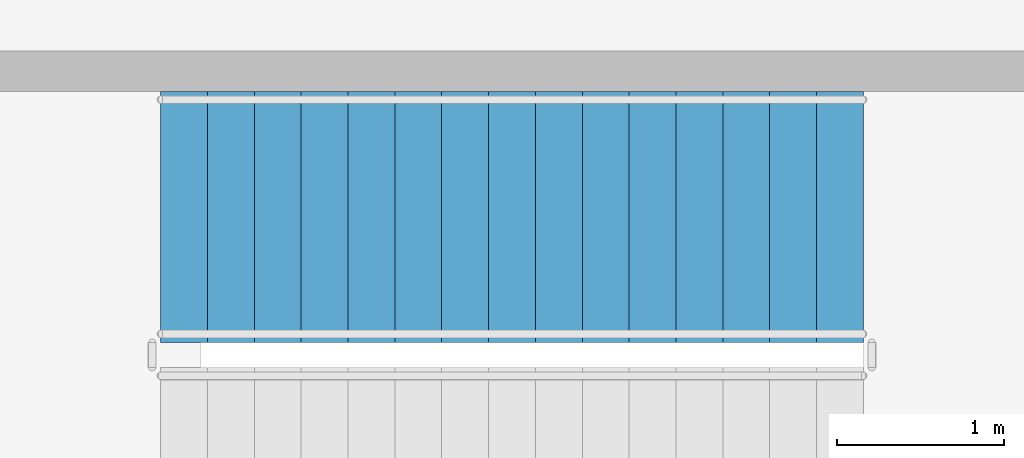
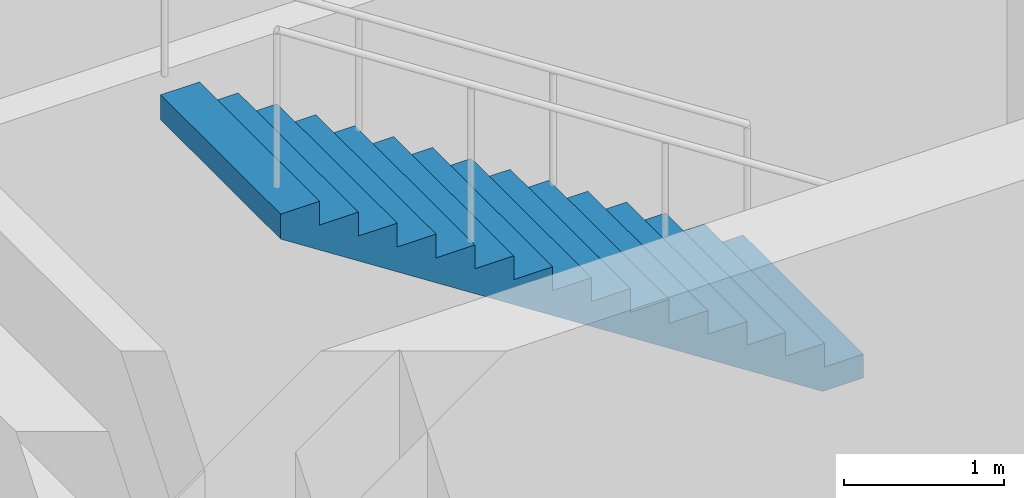
# One storey, part 16 of 18: 1 stair flight, 1 element without a shape of its own.
"""IFC4 building model written with IfcOpenShell, lengths in metres."""

from ifc_helpers import new_model, si_unit, direction, frame, origin, place, context, subcontext, project, spatial, polyline, outline, extrude, material, type_object, element, aggregate, save


model = new_model("IFC4")

# Units and contexts
model_context = context("Model", 3, precision=1e-05, world=origin(), true_north=direction((0.0, 1.0)))
body_context = subcontext(model_context, "Body", "Model", "MODEL_VIEW")
ifc_project = project(units=[si_unit("LENGTHUNIT", "METRE"), si_unit("AREAUNIT", "SQUARE_METRE"), si_unit("VOLUMEUNIT", "CUBIC_METRE"), si_unit("PLANEANGLEUNIT", "RADIAN"), si_unit("MASSUNIT", "GRAM", prefix="KILO")], contexts=[model_context])

# Site, building, storey
site_placement = place(None, origin())
site = spatial("IfcSite", under=ifc_project, at=site_placement, CompositionType="ELEMENT")
building_placement = place(site_placement, origin())
building = spatial("IfcBuilding", under=site, at=building_placement, Name="Qianrong Seaharbour Tower", CompositionType="ELEMENT")
storey_placement = place(building_placement, frame((0.0, 0.0, 367.199951171875)))
storey = spatial("IfcBuildingStorey", under=building, at=storey_placement, Name="L89", CompositionType="ELEMENT", Elevation=367.199951171875)

# Stair, stair flight
ifc_material = material(Name="Concrete C50/60", Category="concrete")
stair_type = type_object("IfcStairType", Name="STAIR-DOGLEG-1500-R32", PredefinedType="HALF_TURN_STAIR", material=ifc_material)
stair_placement = place(storey_placement, origin())
stair = element("IfcStair", 1, at=stair_placement, inside=storey, type_object=stair_type, Name="L89 Protected Escape Stair ST-2", PredefinedType="HALF_TURN_STAIR")
stair_flight_type = type_object("IfcStairFlightType", Name="FLIGHT-STR-1500-R32", PredefinedType="STRAIGHT", material=ifc_material)
stair_flight_placement = place(storey_placement, frame((61.300048828125, 39.0, 2.900146484375), z_axis=(0.0, 0.0, 1.0), x_axis=(-1.0, 0.0, 0.0)))
stair_flight = element("IfcStairFlight", 2, at=stair_flight_placement, type_object=stair_flight_type, Name="ST-2 flight 2", NumberOfRisers=16, NumberOfTreads=15, PredefinedType="STRAIGHT", RiserHeight=0.18125, TreadLength=0.28, context=body_context, shape_type="SweptSolid", body=[
    extrude(outline(polyline([(0.0, 0.0), (0.0, 0.18115234375), (0.280029296875, 0.18115234375), (0.280029296875, 0.362548828125), (0.56005859375, 0.362548828125), (0.56005859375, 0.543701171875), (0.840087890625, 0.543701171875), (0.840087890625, 0.72509765625), (1.1201171875, 0.72509765625), (1.1201171875, 0.90625), (1.39990234375, 0.90625), (1.39990234375, 1.08740234375), (1.679931640625, 1.08740234375), (1.679931640625, 1.268798828125), (1.9599609375, 1.268798828125), (1.9599609375, 1.449951171875), (2.239990234375, 1.449951171875), (2.239990234375, 1.63134765625), (2.52001953125, 1.63134765625), (2.52001953125, 1.8125), (2.800048828125, 1.8125), (2.800048828125, 1.99365234375), (3.080078125, 1.99365234375), (3.080078125, 2.175048828125), (3.360107421875, 2.175048828125), (3.360107421875, 2.356201171875), (3.639892578125, 2.356201171875), (3.639892578125, 2.53759765625), (3.919921875, 2.53759765625), (3.919921875, 2.71875), (4.199951171875, 2.71875), (4.199951171875, 2.89990234375), (4.199951171875, 2.5283203125), (0.294189453125, 0.0), (0.0, 0.0)])), frame((0.0, 0.75, 0.0), z_axis=(0.0, -1.0, 0.0), x_axis=(1.0, 0.0, 0.0)), (0.0, 0.0, 1.0), 1.5),
])
aggregate(stair, [stair_flight])

save(model, "model.ifc")
